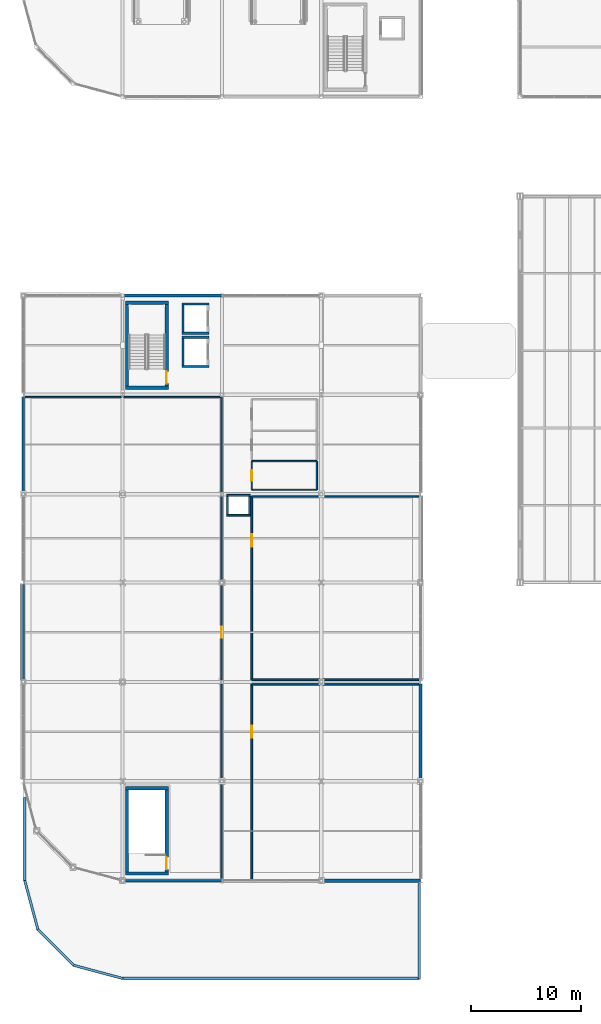
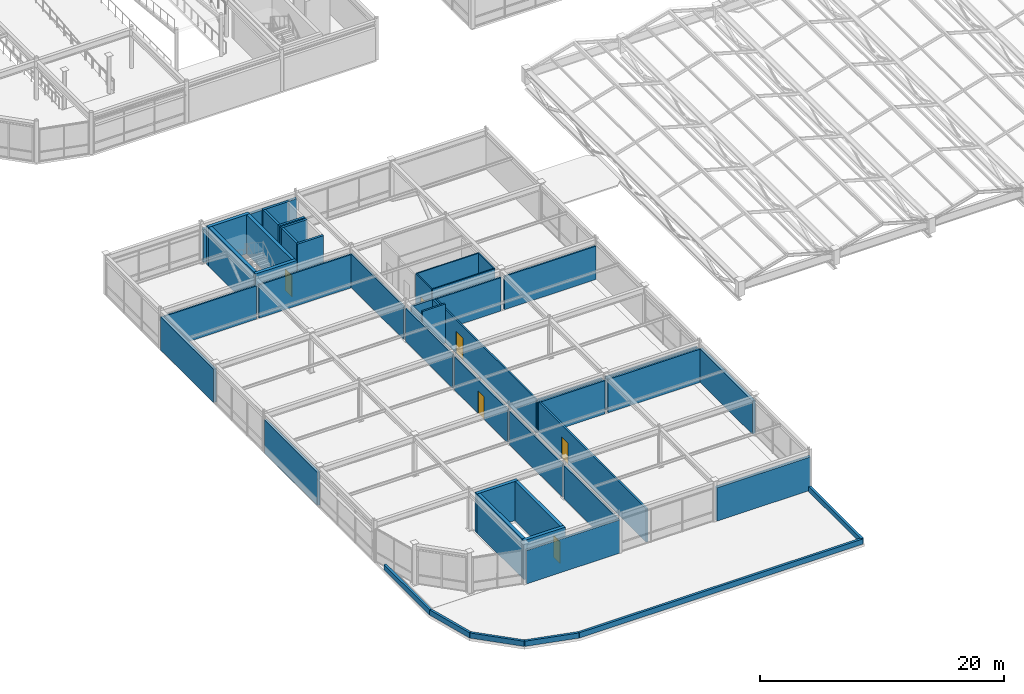
# One storey, part 77 of 108: 49 walls, 6 doors, 6 openings.
"""IFC4 building model written with IfcOpenShell, lengths in metres."""

from ifc_helpers import new_model, si_unit, direction, frame, frame_2d, origin, place, context, subcontext, project, spatial, rectangle, extrude, material, layer, layer_set, type_object, element, fill, save


model = new_model("IFC4")

# Units and contexts
model_context = context("Model", 3, precision=1e-05, world=origin(), true_north=direction((0.0, 1.0)))
body_context = subcontext(model_context, "Body", "Model", "MODEL_VIEW")
ifc_project = project(units=[si_unit("LENGTHUNIT", "METRE"), si_unit("AREAUNIT", "SQUARE_METRE"), si_unit("VOLUMEUNIT", "CUBIC_METRE"), si_unit("PLANEANGLEUNIT", "RADIAN"), si_unit("MASSUNIT", "GRAM", prefix="KILO")], contexts=[model_context])

# Site, building, storey
site_placement = place(None, origin())
site = spatial("IfcSite", under=ifc_project, at=site_placement, CompositionType="ELEMENT")
building_placement = place(site_placement, origin())
building = spatial("IfcBuilding", under=site, at=building_placement, Name="Suzunagisa Mobility Hub", CompositionType="ELEMENT")
storey_placement = place(building_placement, frame((0.0, 0.0, 9.300048828125)))
storey = spatial("IfcBuildingStorey", under=building, at=storey_placement, Name="L02", CompositionType="ELEMENT", Elevation=9.300048828125)

# Walls
ifc_material_1 = material(Name="Porcelain-Faced Insulated Concrete C30/37 Wall", Category="concrete")
ifc_layer_1 = layer(ifc_material_1, 0.260009765625)
ifc_layer_set_1 = layer_set([ifc_layer_1], Name="Porcelain-Faced Insulated Concrete C30/37 Wall")
wall_type_1 = type_object("IfcWallType", Name="Exterior Wall EW-03 260mm", PredefinedType="SOLIDWALL", material=ifc_layer_set_1)
wall_1_placement = place(storey_placement, frame((0.0, 52.830078125, 0.0), z_axis=(0.0, 0.0, 1.0), x_axis=(0.0, -1.0, 0.0)))
element("IfcWall", 1, at=wall_1_placement, inside=storey, type_object=wall_type_1, Name="L02 Exterior Facade Wall EW-54", PredefinedType="SOLIDWALL", context=body_context, shape_type="SweptSolid", body=[
    extrude(rectangle(XDim=8.68017578125, YDim=0.260009765625, at=frame_2d((4.340087890625, 0.0))), origin(), (0.0, 0.0, 1.0), 3.33203125),
])
ifc_material_2 = material(Name="Lightweight Insulated Autoclaved Concrete C30/37 Wall", Category="concrete")
ifc_layer_2 = layer(ifc_material_2, 0.239990234375)
ifc_layer_set_2 = layer_set([ifc_layer_2], Name="Lightweight Insulated Autoclaved Concrete C30/37 Wall")
wall_type_2 = type_object("IfcWallType", Name="Exterior Wall EW-04 240mm", PredefinedType="SOLIDWALL", material=ifc_layer_set_2)
wall_2_placement = place(storey_placement, frame((9.14990234375, 9.0, 0.0), z_axis=(0.0, 0.0, 1.0), x_axis=(1.0, 0.0, 0.0)))
element("IfcWall", 2, at=wall_2_placement, inside=storey, type_object=wall_type_2, Name="L02 Exterior Facade Wall EW-47", PredefinedType="SOLIDWALL", context=body_context, shape_type="SweptSolid", body=[
    extrude(rectangle(XDim=8.845703125, YDim=0.239990234375, at=frame_2d((4.4228515625, 0.0))), origin(), (0.0, 0.0, 1.0), 3.33203125),
])
wall_3_placement = place(storey_placement, frame((0.0, 35.830078125, 0.0), z_axis=(0.0, 0.0, 1.0), x_axis=(0.0, -1.0, 0.0)))
element("IfcWall", 3, at=wall_3_placement, inside=storey, type_object=wall_type_2, Name="L02 Exterior Facade Wall EW-55", PredefinedType="SOLIDWALL", context=body_context, shape_type="SweptSolid", body=[
    extrude(rectangle(XDim=8.68017578125, YDim=0.239990234375, at=frame_2d((4.340087890625, 0.0))), origin(), (0.0, 0.0, 1.0), 3.33203125),
])
ifc_material_3 = material(Name="Concrete C30/37", Category="concrete")
ifc_layer_3 = layer(ifc_material_3, 0.219970703125)
ifc_layer_set_3 = layer_set([ifc_layer_3], Name="Concrete C30/37")
wall_type_3 = type_object("IfcWallType", Name="Exterior Wall EW-05 220mm", PredefinedType="PARAPET", material=ifc_layer_set_3)
wall_4_placement = place(storey_placement, frame((0.139892578125, 9.018310546875, 0.0), z_axis=(0.0, 0.0, 1.0), x_axis=(0.0, 1.0, 0.0)))
element("IfcWall", 4, at=wall_4_placement, inside=storey, type_object=wall_type_3, Name="L02 Roof Setback Parapet PR-462", PredefinedType="PARAPET", context=body_context, shape_type="SweptSolid", body=[
    extrude(rectangle(XDim=7.493408203125, YDim=0.219970703125, at=frame_2d((3.74658203125, 0.0))), origin(), (0.0, 0.0, 1.0), 0.52001953125),
])
wall_5_placement = place(storey_placement, frame((35.860107421875, 8.75, 0.0), z_axis=(0.0, 0.0, 1.0), x_axis=(0.0, -1.0, 0.0)))
element("IfcWall", 5, at=wall_5_placement, inside=storey, type_object=wall_type_3, Name="L02 Roof Setback Parapet PR-463", PredefinedType="PARAPET", context=body_context, shape_type="SweptSolid", body=[
    extrude(rectangle(XDim=8.610107421875, YDim=0.219970703125, at=frame_2d((4.30517578125, 0.0))), origin(), (0.0, 0.0, 1.0), 0.52001953125),
])
wall_6_placement = place(storey_placement, frame((35.860107421875, 0.139892578125, 0.0), z_axis=(0.0, 0.0, 1.0), x_axis=(-1.0, 0.0, 0.0)))
element("IfcWall", 6, at=wall_6_placement, inside=storey, type_object=wall_type_3, Name="L02 Roof Setback Parapet PR-464", PredefinedType="PARAPET", context=body_context, shape_type="SweptSolid", body=[
    extrude(rectangle(XDim=26.841796875, YDim=0.219970703125, at=frame_2d((13.4208984375, 0.0))), origin(), (0.0, 0.0, 1.0), 0.52001953125),
])
wall_7_placement = place(storey_placement, frame((9.018310546875, 0.139892578125, 0.0), z_axis=(0.0, 0.0, 1.0), x_axis=(-0.965917269811, 0.258850976204, 0.0)))
element("IfcWall", 7, at=wall_7_placement, inside=storey, type_object=wall_type_3, Name="L02 Roof Setback Parapet PR-465", PredefinedType="PARAPET", context=body_context, shape_type="SweptSolid", body=[
    extrude(rectangle(XDim=4.602783203125, YDim=0.219970703125, at=frame_2d((2.30126953125, 0.0))), origin(), (0.0, 0.0, 1.0), 0.52001953125),
])
wall_8_placement = place(storey_placement, frame((4.572509765625, 1.331298828125, 0.0), z_axis=(0.0, 0.0, 1.0), x_axis=(-0.707106781187, 0.707106781187, 0.0)))
element("IfcWall", 8, at=wall_8_placement, inside=storey, type_object=wall_type_3, Name="L02 Roof Setback Parapet PR-466", PredefinedType="PARAPET", context=body_context, shape_type="SweptSolid", body=[
    extrude(rectangle(XDim=4.583740234375, YDim=0.219970703125, at=frame_2d((2.2919921875, 0.0))), origin(), (0.0, 0.0, 1.0), 0.52001953125),
])
wall_9_placement = place(storey_placement, frame((1.331298828125, 4.572509765625, 0.0), z_axis=(0.0, 0.0, 1.0), x_axis=(-0.258850976204, 0.965917269811, 0.0)))
element("IfcWall", 9, at=wall_9_placement, inside=storey, type_object=wall_type_3, Name="L02 Roof Setback Parapet PR-467", PredefinedType="PARAPET", context=body_context, shape_type="SweptSolid", body=[
    extrude(rectangle(XDim=4.602783203125, YDim=0.219970703125, at=frame_2d((2.30126953125, 0.0))), origin(), (0.0, 0.0, 1.0), 0.52001953125),
])
ifc_layer_4 = layer(ifc_material_1, 0.280029296875)
ifc_layer_set_4 = layer_set([ifc_layer_4], Name="Porcelain-Faced Insulated Concrete C30/37 Wall")
wall_type_4 = type_object("IfcWallType", Name="Exterior Wall EW-08 280mm", PredefinedType="SOLIDWALL", material=ifc_layer_set_4)
wall_10_placement = place(storey_placement, frame((36.0, 18.14990234375, 0.0), z_axis=(0.0, 0.0, 1.0), x_axis=(0.0, 1.0, 0.0)))
element("IfcWall", 10, at=wall_10_placement, inside=storey, type_object=wall_type_4, Name="L02 Exterior Facade Wall EW-49", PredefinedType="SOLIDWALL", context=body_context, shape_type="SweptSolid", body=[
    extrude(rectangle(XDim=8.68017578125, YDim=0.280029296875, at=frame_2d((4.340087890625, 0.0))), origin(), (0.0, 0.0, 1.0), 3.33203125),
])
wall_11_placement = place(storey_placement, frame((17.99560546875, 62.0, 0.0), z_axis=(0.0, 0.0, 1.0), x_axis=(-1.0, 0.0, 0.0)))
element("IfcWall", 11, at=wall_11_placement, inside=storey, type_object=wall_type_4, Name="L02 Exterior Facade Wall EW-53", PredefinedType="SOLIDWALL", context=body_context, shape_type="SweptSolid", body=[
    extrude(rectangle(XDim=8.845703125, YDim=0.280029296875, at=frame_2d((4.4228515625, 0.0))), origin(), (0.0, 0.0, 1.0), 3.33203125),
])
ifc_material_4 = material(Name="Insulated Precast Concrete C35/45 Panel", Category="concrete")
ifc_layer_5 = layer(ifc_material_4, 0.300048828125)
ifc_layer_set_5 = layer_set([ifc_layer_5], Name="Insulated Precast Concrete C35/45 Panel")
wall_type_5 = type_object("IfcWallType", Name="Exterior Wall EW-09 300mm", PredefinedType="SOLIDWALL", material=ifc_layer_set_5)
wall_12_placement = place(storey_placement, frame((27.14990234375, 9.0, 0.0), z_axis=(0.0, 0.0, 1.0), x_axis=(1.0, 0.0, 0.0)))
element("IfcWall", 12, at=wall_12_placement, inside=storey, type_object=wall_type_5, Name="L02 Exterior Facade Wall EW-48", PredefinedType="SOLIDWALL", context=body_context, shape_type="SweptSolid", body=[
    extrude(rectangle(XDim=8.845703125, YDim=0.300048828125, at=frame_2d((4.4228515625, 0.0))), origin(), (0.0, 0.0, 1.0), 3.33203125),
])
ifc_material_5 = material(Name="Concrete C35/45", Category="concrete")
ifc_layer_6 = layer(ifc_material_5, 0.31005859375)
ifc_layer_set_6 = layer_set([ifc_layer_6], Name="Concrete C35/45")
wall_type_6 = type_object("IfcWallType", Name="Interior Wall IW-01 310mm", PredefinedType="SHEAR", material=ifc_layer_set_6)
for number, where, z_axis, x_axis, name in (
    (13, (9.25, 53.64501953125, 0.0), (0.0, 0.0, 1.0), (1.0, 0.0, 0.0), "L02 Core C1 Shear Wall SW-37"),
    (14, (9.25, 61.35498046875, 0.0), (0.0, 0.0, 1.0), (1.0, 0.0, 0.0), "L02 Core C1 Shear Wall SW-38"),
):
    element("IfcWall", number, at=place(storey_placement, frame(where, z_axis=z_axis, x_axis=x_axis)), inside=storey, type_object=wall_type_6, Name=name, PredefinedType="SHEAR", context=body_context, shape_type="SweptSolid", body=[
        extrude(rectangle(XDim=3.89990234375, YDim=0.31005859375, at=frame_2d((1.949951171875, 0.0))), origin(), (0.0, 0.0, 1.0), 3.919921875),
    ])
wall_13_placement = place(storey_placement, frame((9.405029296875, 53.800048828125, 0.0), z_axis=(0.0, 0.0, 1.0), x_axis=(0.0, 1.0, 0.0)))
element("IfcWall", 15, at=wall_13_placement, inside=storey, type_object=wall_type_6, Name="L02 Core C1 Shear Wall SW-39", PredefinedType="SHEAR", context=body_context, shape_type="SweptSolid", body=[
    extrude(rectangle(XDim=7.39990234375, YDim=0.31005859375, at=frame_2d((3.699951171875, 0.0))), origin(), (0.0, 0.0, 1.0), 3.919921875),
])

# Wall, opening, door
wall_14_placement = place(storey_placement, frame((12.9951171875, 53.800048828125, 0.0), z_axis=(0.0, 0.0, 1.0), x_axis=(0.0, 1.0, 0.0)))
wall_14 = element("IfcWall", 16, at=wall_14_placement, inside=storey, type_object=wall_type_6, Name="L02 Core C1 Shear Wall SW-40", PredefinedType="SHEAR", context=body_context, shape_type="SweptSolid", body=[
    extrude(rectangle(XDim=7.39990234375, YDim=0.31005859375, at=frame_2d((3.699951171875, 0.0))), origin(), (0.0, 0.0, 1.0), 3.919921875),
])
opening_1_placement = place(wall_14_placement, frame((0.219970703125, 0.0, 0.0)))
opening_1 = element("IfcOpeningElement", 17, at=opening_1_placement, cuts=wall_14, Name="Opening DR-05", PredefinedType="OPENING", context=body_context, shape_type="SweptSolid", body=[
    extrude(rectangle(XDim=1.10009765625, YDim=2.14990234375, at=frame_2d((0.550048828125, 1.074951171875))), frame((0.0, 0.166015625, 0.0), z_axis=(0.0, -1.0, 0.0), x_axis=(1.0, 0.0, 0.0)), (0.0, 0.0, 1.0), 0.33203125),
])
ifc_material_6 = material(Name="Fire-Rated Hollow Steel Stair Door", Category="steel")
door_type_1 = type_object("IfcDoorType", Name="Interior Door DR-05 1100x2150", OperationType="SINGLE_SWING_LEFT", PredefinedType="DOOR", material=ifc_material_6)
door_1_placement = place(opening_1_placement, origin())
door_1 = element("IfcDoor", 18, at=door_1_placement, inside=storey, type_object=door_type_1, Name="L02 Core C1 Escape Stair Fire Door SD-10", OperationType="SINGLE_SWING_LEFT", OverallHeight=2.14990234375, OverallWidth=1.10009765625, PredefinedType="DOOR", context=body_context, shape_type="SweptSolid", body=[
    extrude(rectangle(XDim=1.10009765625, YDim=2.14990234375, at=frame_2d((0.550048828125, 1.074951171875))), frame((0.0, 0.02490234375, 0.0), z_axis=(0.0, -1.0, 0.0), x_axis=(1.0, 0.0, 0.0)), (0.0, 0.0, 1.0), 0.050048828125),
])
fill(opening_1, door_1)

# Walls
for number, where, z_axis, x_axis, name in (
    (19, (9.25, 9.64501953125, 0.0), (0.0, 0.0, 1.0), (1.0, 0.0, 0.0), "L02 Core C1B Shear Wall SW-73"),
    (20, (9.25, 17.35498046875, 0.0), (0.0, 0.0, 1.0), (1.0, 0.0, 0.0), "L02 Core C1B Shear Wall SW-74"),
):
    element("IfcWall", number, at=place(storey_placement, frame(where, z_axis=z_axis, x_axis=x_axis)), inside=storey, type_object=wall_type_6, Name=name, PredefinedType="SHEAR", context=body_context, shape_type="SweptSolid", body=[
        extrude(rectangle(XDim=3.89990234375, YDim=0.31005859375, at=frame_2d((1.949951171875, 0.0))), origin(), (0.0, 0.0, 1.0), 3.919921875),
    ])
wall_15_placement = place(storey_placement, frame((9.405029296875, 9.800048828125, 0.0), z_axis=(0.0, 0.0, 1.0), x_axis=(0.0, 1.0, 0.0)))
element("IfcWall", 21, at=wall_15_placement, inside=storey, type_object=wall_type_6, Name="L02 Core C1B Shear Wall SW-75", PredefinedType="SHEAR", context=body_context, shape_type="SweptSolid", body=[
    extrude(rectangle(XDim=7.39990234375, YDim=0.31005859375, at=frame_2d((3.699951171875, 0.0))), origin(), (0.0, 0.0, 1.0), 3.919921875),
])

# Wall, opening, door
wall_16_placement = place(storey_placement, frame((12.9951171875, 9.800048828125, 0.0), z_axis=(0.0, 0.0, 1.0), x_axis=(0.0, 1.0, 0.0)))
wall_16 = element("IfcWall", 22, at=wall_16_placement, inside=storey, type_object=wall_type_6, Name="L02 Core C1B Shear Wall SW-76", PredefinedType="SHEAR", context=body_context, shape_type="SweptSolid", body=[
    extrude(rectangle(XDim=7.39990234375, YDim=0.31005859375, at=frame_2d((3.699951171875, 0.0))), origin(), (0.0, 0.0, 1.0), 3.919921875),
])
opening_2_placement = place(wall_16_placement, frame((0.219970703125, 0.0, 0.0)))
opening_2 = element("IfcOpeningElement", 23, at=opening_2_placement, cuts=wall_16, Name="Opening DR-05", PredefinedType="OPENING", context=body_context, shape_type="SweptSolid", body=[
    extrude(rectangle(XDim=1.10009765625, YDim=2.14990234375, at=frame_2d((0.550048828125, 1.074951171875))), frame((0.0, 0.166015625, 0.0), z_axis=(0.0, -1.0, 0.0), x_axis=(1.0, 0.0, 0.0)), (0.0, 0.0, 1.0), 0.33203125),
])
door_2_placement = place(opening_2_placement, origin())
door_2 = element("IfcDoor", 24, at=door_2_placement, inside=storey, type_object=door_type_1, Name="L02 Core C1B Escape Stair Fire Door SD-19", OperationType="SINGLE_SWING_RIGHT", OverallHeight=2.14990234375, OverallWidth=1.10009765625, PredefinedType="DOOR", context=body_context, shape_type="SweptSolid", body=[
    extrude(rectangle(XDim=1.10009765625, YDim=2.14990234375, at=frame_2d((0.550048828125, 1.074951171875))), frame((0.0, 0.02490234375, 0.0), z_axis=(0.0, -1.0, 0.0), x_axis=(1.0, 0.0, 0.0)), (0.0, 0.0, 1.0), 0.050048828125),
])
fill(opening_2, door_2)

# Walls
ifc_material_7 = material(Name="Moisture-Resistant Gypsum Partition", Category="gypsum")
ifc_layer_7 = layer(ifc_material_7, 0.1201171875)
ifc_layer_set_7 = layer_set([ifc_layer_7], Name="Moisture-Resistant Gypsum Partition")
wall_type_7 = type_object("IfcWallType", Name="Interior Wall IW-02 120mm", PredefinedType="PARTITIONING", material=ifc_layer_set_7)
for number, where, z_axis, x_axis, name in (
    (25, (20.699951171875, 44.39990234375, 0.0), (0.0, 0.0, 1.0), (1.0, 0.0, 0.0), "L02 West Concourse Male WC L02 Partition PW-665"),
    (26, (20.699951171875, 47.0, 0.0), (0.0, 0.0, 1.0), (1.0, 0.0, 0.0), "L02 West Concourse Male WC L02 Partition PW-666"),
):
    element("IfcWall", number, at=place(storey_placement, frame(where, z_axis=z_axis, x_axis=x_axis)), inside=storey, type_object=wall_type_7, Name=name, PredefinedType="PARTITIONING", context=body_context, shape_type="SweptSolid", body=[
        extrude(rectangle(XDim=5.900146484375, YDim=0.1201171875, at=frame_2d((2.9501953125, 0.0))), origin(), (0.0, 0.0, 1.0), 3.919921875),
    ])

# Wall, opening, door
wall_17_placement = place(storey_placement, frame((20.699951171875, 44.39990234375, 0.0), z_axis=(0.0, 0.0, 1.0), x_axis=(0.0, 1.0, 0.0)))
wall_17 = element("IfcWall", 27, at=wall_17_placement, inside=storey, type_object=wall_type_7, Name="L02 West Concourse Male WC L02 Partition PW-667", PredefinedType="PARTITIONING", context=body_context, shape_type="SweptSolid", body=[
    extrude(rectangle(XDim=2.60009765625, YDim=0.1201171875, at=frame_2d((1.300048828125, 0.0))), origin(), (0.0, 0.0, 1.0), 3.919921875),
])
opening_3_placement = place(wall_17_placement, frame((0.840087890625, 0.0, 0.0)))
opening_3 = element("IfcOpeningElement", 28, at=opening_3_placement, cuts=wall_17, Name="Opening DR-02", PredefinedType="OPENING", context=body_context, shape_type="SweptSolid", body=[
    extrude(rectangle(XDim=0.919921875, YDim=2.10009765625, at=frame_2d((0.4599609375, 1.050048828125))), frame((0.0, 0.071044921875, 0.0), z_axis=(0.0, -1.0, 0.0), x_axis=(1.0, 0.0, 0.0)), (0.0, 0.0, 1.0), 0.14208984375),
])
ifc_material_8 = material(Name="Sanitary Restroom Laminate Door")
door_type_2 = type_object("IfcDoorType", Name="Interior Door DR-02 920x2100", OperationType="SINGLE_SWING_LEFT", PredefinedType="DOOR", material=ifc_material_8)
door_3_placement = place(opening_3_placement, origin())
door_3 = element("IfcDoor", 29, at=door_3_placement, inside=storey, type_object=door_type_2, Name="L02 West Concourse Male WC L02 Door DR-167", OperationType="SINGLE_SWING_RIGHT", OverallHeight=2.10009765625, OverallWidth=0.919921875, PredefinedType="DOOR", context=body_context, shape_type="SweptSolid", body=[
    extrude(rectangle(XDim=0.919921875, YDim=2.10009765625, at=frame_2d((0.4599609375, 1.050048828125))), frame((0.0, 0.02490234375, 0.0), z_axis=(0.0, -1.0, 0.0), x_axis=(1.0, 0.0, 0.0)), (0.0, 0.0, 1.0), 0.050048828125),
])
fill(opening_3, door_3)

# Walls
wall_18_placement = place(storey_placement, frame((26.60009765625, 44.39990234375, 0.0), z_axis=(0.0, 0.0, 1.0), x_axis=(0.0, 1.0, 0.0)))
element("IfcWall", 30, at=wall_18_placement, inside=storey, type_object=wall_type_7, Name="L02 West Concourse Male WC L02 Partition PW-668", PredefinedType="PARTITIONING", context=body_context, shape_type="SweptSolid", body=[
    extrude(rectangle(XDim=2.60009765625, YDim=0.1201171875, at=frame_2d((1.300048828125, 0.0))), origin(), (0.0, 0.0, 1.0), 3.919921875),
])
ifc_material_9 = material(Name="Fire-Rated Gypsum Stud Partition", Category="gypsum")
ifc_layer_8 = layer(ifc_material_9, 0.2099609375)
ifc_layer_set_8 = layer_set([ifc_layer_8], Name="Fire-Rated Gypsum Stud Partition")
wall_type_8 = type_object("IfcWallType", Name="Interior Wall IW-03 210mm", PredefinedType="PARTITIONING", material=ifc_layer_set_8)
wall_19_placement = place(storey_placement, frame((14.47509765625, 55.679931640625, 0.0), z_axis=(0.0, 0.0, 1.0), x_axis=(0.0, 1.0, 0.0)))
element("IfcWall", 31, at=wall_19_placement, inside=storey, type_object=wall_type_8, Name="L02 Lift LF-01 Shaft Back Wall", PredefinedType="PARTITIONING", context=body_context, shape_type="SweptSolid", body=[
    extrude(rectangle(XDim=2.440185546875, YDim=0.2099609375, at=frame_2d((1.22021484375, 0.0))), origin(), (0.0, 0.0, 1.0), 3.919921875),
])
for number, where, z_axis, x_axis, name in (
    (32, (14.3701171875, 55.574951171875, 0.0), (0.0, 0.0, 1.0), (1.0, 0.0, 0.0), "L02 Lift LF-01 Shaft South Wall"),
    (33, (14.3701171875, 58.22509765625, 0.0), (0.0, 0.0, 1.0), (1.0, 0.0, 0.0), "L02 Lift LF-01 Shaft North Wall"),
):
    element("IfcWall", number, at=place(storey_placement, frame(where, z_axis=z_axis, x_axis=x_axis)), inside=storey, type_object=wall_type_8, Name=name, PredefinedType="PARTITIONING", context=body_context, shape_type="SweptSolid", body=[
        extrude(rectangle(XDim=2.4599609375, YDim=0.2099609375, at=frame_2d((1.22998046875, 0.0))), origin(), (0.0, 0.0, 1.0), 3.919921875),
    ])
wall_20_placement = place(storey_placement, frame((14.47509765625, 58.679931640625, 0.0), z_axis=(0.0, 0.0, 1.0), x_axis=(0.0, 1.0, 0.0)))
element("IfcWall", 34, at=wall_20_placement, inside=storey, type_object=wall_type_8, Name="L02 Lift LF-02 Shaft Back Wall", PredefinedType="PARTITIONING", context=body_context, shape_type="SweptSolid", body=[
    extrude(rectangle(XDim=2.440185546875, YDim=0.2099609375, at=frame_2d((1.22021484375, 0.0))), origin(), (0.0, 0.0, 1.0), 3.919921875),
])
for number, where, z_axis, x_axis, name in (
    (35, (14.3701171875, 58.574951171875, 0.0), (0.0, 0.0, 1.0), (1.0, 0.0, 0.0), "L02 Lift LF-02 Shaft South Wall"),
    (36, (14.3701171875, 61.22509765625, 0.0), (0.0, 0.0, 1.0), (1.0, 0.0, 0.0), "L02 Lift LF-02 Shaft North Wall"),
):
    element("IfcWall", number, at=place(storey_placement, frame(where, z_axis=z_axis, x_axis=x_axis)), inside=storey, type_object=wall_type_8, Name=name, PredefinedType="PARTITIONING", context=body_context, shape_type="SweptSolid", body=[
        extrude(rectangle(XDim=2.4599609375, YDim=0.2099609375, at=frame_2d((1.22998046875, 0.0))), origin(), (0.0, 0.0, 1.0), 3.919921875),
    ])
ifc_layer_9 = layer(ifc_material_9, 0.169921875)
ifc_layer_set_9 = layer_set([ifc_layer_9], Name="Fire-Rated Gypsum Stud Partition")
wall_type_9 = type_object("IfcWallType", Name="Interior Wall IW-05 170mm", PredefinedType="PARTITIONING", material=ifc_layer_set_9)
wall_21_placement = place(storey_placement, frame((18.4150390625, 42.10009765625, 0.0), z_axis=(0.0, 0.0, 1.0), x_axis=(1.0, 0.0, 0.0)))
element("IfcWall", 37, at=wall_21_placement, inside=storey, type_object=wall_type_9, Name="L02 MEP Service Riser Wall RW-501", PredefinedType="PARTITIONING", context=body_context, shape_type="SweptSolid", body=[
    extrude(rectangle(XDim=2.169921875, YDim=0.169921875, at=frame_2d((1.0849609375, 0.0))), origin(), (0.0, 0.0, 1.0), 3.919921875),
])
wall_22_placement = place(storey_placement, frame((18.4150390625, 43.89990234375, 0.0), z_axis=(0.0, 0.0, 1.0), x_axis=(1.0, 0.0, 0.0)))
element("IfcWall", 38, at=wall_22_placement, inside=storey, type_object=wall_type_9, Name="L02 MEP Service Riser Wall RW-502", PredefinedType="PARTITIONING", context=body_context, shape_type="SweptSolid", body=[
    extrude(rectangle(XDim=2.169921875, YDim=0.169921875, at=frame_2d((1.0849609375, 0.0))), origin(), (0.0, 0.0, 1.0), 3.33203125),
])
for number, where, z_axis, x_axis, name in (
    (39, (18.5, 42.18505859375, 0.0), (0.0, 0.0, 1.0), (0.0, 1.0, 0.0), "L02 MEP Service Riser Wall RW-503"),
    (40, (20.5, 42.18505859375, 0.0), (0.0, 0.0, 1.0), (0.0, 1.0, 0.0), "L02 MEP Service Riser Wall RW-504"),
):
    element("IfcWall", number, at=place(storey_placement, frame(where, z_axis=z_axis, x_axis=x_axis)), inside=storey, type_object=wall_type_9, Name=name, PredefinedType="PARTITIONING", context=body_context, shape_type="SweptSolid", body=[
        extrude(rectangle(XDim=1.6298828125, YDim=0.169921875, at=frame_2d((0.81494140625, 0.0))), origin(), (0.0, 0.0, 1.0), 3.33203125),
    ])
wall_23_placement = place(storey_placement, frame((20.699951171875, 26.800048828125, 0.0), z_axis=(0.0, 0.0, 1.0), x_axis=(1.0, 0.0, 0.0)))
element("IfcWall", 41, at=wall_23_placement, inside=storey, type_object=wall_type_9, Name="L02 Cyclist Co-Working and Refreshment Lounge L02 Partition PW-807", PredefinedType="PARTITIONING", context=body_context, shape_type="SweptSolid", body=[
    extrude(rectangle(XDim=6.150146484375, YDim=0.169921875, at=frame_2d((3.0751953125, 0.0))), origin(), (0.0, 0.0, 1.0), 3.33203125),
])
wall_24_placement = place(storey_placement, frame((27.14990234375, 26.800048828125, 0.0), z_axis=(0.0, 0.0, 1.0), x_axis=(1.0, 0.0, 0.0)))
element("IfcWall", 42, at=wall_24_placement, inside=storey, type_object=wall_type_9, Name="L02 Cyclist Co-Working and Refreshment Lounge L02 Partition PW-808", PredefinedType="PARTITIONING", context=body_context, shape_type="SweptSolid", body=[
    extrude(rectangle(XDim=8.68505859375, YDim=0.169921875, at=frame_2d((4.342529296875, 0.0))), origin(), (0.0, 0.0, 1.0), 3.33203125),
])

# Wall, opening, door
wall_25_placement = place(storey_placement, frame((20.699951171875, 9.1650390625, 0.0), z_axis=(0.0, 0.0, 1.0), x_axis=(0.0, 1.0, 0.0)))
wall_25 = element("IfcWall", 43, at=wall_25_placement, inside=storey, type_object=wall_type_9, Name="L02 Cyclist Co-Working and Refreshment Lounge L02 Partition PW-809", PredefinedType="PARTITIONING", context=body_context, shape_type="SweptSolid", body=[
    extrude(rectangle(XDim=17.635009765625, YDim=0.169921875, at=frame_2d((8.8173828125, 0.0))), origin(), (0.0, 0.0, 1.0), 3.33203125),
])
opening_4_placement = place(wall_25_placement, frame((12.794921875, 0.0, 0.0)))
opening_4 = element("IfcOpeningElement", 44, at=opening_4_placement, cuts=wall_25, Name="Opening DR-25", PredefinedType="OPENING", context=body_context, shape_type="SweptSolid", body=[
    extrude(rectangle(XDim=1.080078125, YDim=2.14990234375, at=frame_2d((0.5400390625, 1.074951171875))), frame((0.0, 0.095947265625, 0.0), z_axis=(0.0, -1.0, 0.0), x_axis=(1.0, 0.0, 0.0)), (0.0, 0.0, 1.0), 0.19189453125),
])
ifc_material_10 = material(Name="Anodized Aluminum Framed Acoustic Door", Category="aluminium")
door_type_3 = type_object("IfcDoorType", Name="Interior Door DR-25 1080x2150", OperationType="SINGLE_SWING_LEFT", PredefinedType="DOOR", material=ifc_material_10)
door_4_placement = place(opening_4_placement, origin())
door_4 = element("IfcDoor", 45, at=door_4_placement, inside=storey, type_object=door_type_3, Name="L02 Cyclist Co-Working and Refreshment Lounge L02 Door DR-202", OperationType="SINGLE_SWING_LEFT", OverallHeight=2.14990234375, OverallWidth=1.080078125, PredefinedType="DOOR", context=body_context, shape_type="SweptSolid", body=[
    extrude(rectangle(XDim=1.080078125, YDim=2.14990234375, at=frame_2d((0.5400390625, 1.074951171875))), frame((0.0, 0.02490234375, 0.0), z_axis=(0.0, -1.0, 0.0), x_axis=(1.0, 0.0, 0.0)), (0.0, 0.0, 1.0), 0.050048828125),
])
fill(opening_4, door_4)

# Walls
ifc_material_11 = material(Name="Acoustic Steel-Stud Gypsum Partition", Category="steel")
ifc_layer_10 = layer(ifc_material_11, 0.14501953125)
ifc_layer_set_10 = layer_set([ifc_layer_10], Name="Acoustic Steel-Stud Gypsum Partition")
wall_type_10 = type_object("IfcWallType", Name="Interior Wall IW-06 145mm", PredefinedType="PARTITIONING", material=ifc_layer_set_10)
wall_26_placement = place(storey_placement, frame((0.1650390625, 52.800048828125, 0.0), z_axis=(0.0, 0.0, 1.0), x_axis=(1.0, 0.0, 0.0)))
element("IfcWall", 46, at=wall_26_placement, inside=storey, type_object=wall_type_10, Name="L02 Long-Stay Commuter Bicycle Storage Gallery L02 Partition PW-800", PredefinedType="PARTITIONING", context=body_context, shape_type="SweptSolid", body=[
    extrude(rectangle(XDim=8.7099609375, YDim=0.14501953125, at=frame_2d((4.35498046875, 0.0))), origin(), (0.0, 0.0, 1.0), 3.33203125),
])
wall_27_placement = place(storey_placement, frame((9.125, 52.800048828125, 0.0), z_axis=(0.0, 0.0, 1.0), x_axis=(1.0, 0.0, 0.0)))
element("IfcWall", 47, at=wall_27_placement, inside=storey, type_object=wall_type_10, Name="L02 Long-Stay Commuter Bicycle Storage Gallery L02 Partition PW-801", PredefinedType="PARTITIONING", context=body_context, shape_type="SweptSolid", body=[
    extrude(rectangle(XDim=8.72509765625, YDim=0.14501953125, at=frame_2d((4.362548828125, 0.0))), origin(), (0.0, 0.0, 1.0), 3.33203125),
])
for number, where, z_axis, x_axis, name in (
    (48, (17.949951171875, 9.169921875, 0.0), (0.0, 0.0, 1.0), (0.0, 1.0, 0.0), "L02 Long-Stay Commuter Bicycle Storage Gallery L02 Partition PW-802"),
    (49, (17.949951171875, 18.14990234375, 0.0), (0.0, 0.0, 1.0), (0.0, 1.0, 0.0), "L02 Long-Stay Commuter Bicycle Storage Gallery L02 Partition PW-803"),
):
    element("IfcWall", number, at=place(storey_placement, frame(where, z_axis=z_axis, x_axis=x_axis)), inside=storey, type_object=wall_type_10, Name=name, PredefinedType="PARTITIONING", context=body_context, shape_type="SweptSolid", body=[
        extrude(rectangle(XDim=8.68017578125, YDim=0.14501953125, at=frame_2d((4.340087890625, 0.0))), origin(), (0.0, 0.0, 1.0), 3.33203125),
    ])

# Wall, opening, door
wall_28_placement = place(storey_placement, frame((17.949951171875, 27.169921875, 0.0), z_axis=(0.0, 0.0, 1.0), x_axis=(0.0, 1.0, 0.0)))
wall_28 = element("IfcWall", 50, at=wall_28_placement, inside=storey, type_object=wall_type_10, Name="L02 Long-Stay Commuter Bicycle Storage Gallery L02 Partition PW-804", PredefinedType="PARTITIONING", context=body_context, shape_type="SweptSolid", body=[
    extrude(rectangle(XDim=8.68017578125, YDim=0.14501953125, at=frame_2d((4.340087890625, 0.0))), origin(), (0.0, 0.0, 1.0), 3.33203125),
])
opening_5_placement = place(wall_28_placement, frame((3.820068359375, 0.0, 0.0)))
opening_5 = element("IfcOpeningElement", 51, at=opening_5_placement, cuts=wall_28, Name="Opening DR-33", PredefinedType="OPENING", context=body_context, shape_type="SweptSolid", body=[
    extrude(rectangle(XDim=1.02001953125, YDim=2.25, at=frame_2d((0.510009765625, 1.125))), frame((0.0, 0.08349609375, 0.0), z_axis=(0.0, -1.0, 0.0), x_axis=(1.0, 0.0, 0.0)), (0.0, 0.0, 1.0), 0.1669921875),
])
door_type_4 = type_object("IfcDoorType", Name="Interior Door DR-33 1020x2250", OperationType="SINGLE_SWING_LEFT", PredefinedType="DOOR", material=ifc_material_10)
door_5_placement = place(opening_5_placement, origin())
door_5 = element("IfcDoor", 52, at=door_5_placement, inside=storey, type_object=door_type_4, Name="L02 Long-Stay Commuter Bicycle Storage Gallery L02 Door DR-201", OperationType="SINGLE_SWING_RIGHT", OverallHeight=2.25, OverallWidth=1.02001953125, PredefinedType="DOOR", context=body_context, shape_type="SweptSolid", body=[
    extrude(rectangle(XDim=1.02001953125, YDim=2.25, at=frame_2d((0.510009765625, 1.125))), frame((0.0, 0.02490234375, 0.0), z_axis=(0.0, -1.0, 0.0), x_axis=(1.0, 0.0, 0.0)), (0.0, 0.0, 1.0), 0.050048828125),
])
fill(opening_5, door_5)

# Walls
wall_29_placement = place(storey_placement, frame((17.949951171875, 36.14990234375, 0.0), z_axis=(0.0, 0.0, 1.0), x_axis=(0.0, 1.0, 0.0)))
element("IfcWall", 53, at=wall_29_placement, inside=storey, type_object=wall_type_10, Name="L02 Long-Stay Commuter Bicycle Storage Gallery L02 Partition PW-805", PredefinedType="PARTITIONING", context=body_context, shape_type="SweptSolid", body=[
    extrude(rectangle(XDim=7.68017578125, YDim=0.14501953125, at=frame_2d((3.840087890625, 0.0))), origin(), (0.0, 0.0, 1.0), 3.33203125),
])
wall_30_placement = place(storey_placement, frame((17.949951171875, 44.169921875, 0.0), z_axis=(0.0, 0.0, 1.0), x_axis=(0.0, 1.0, 0.0)))
element("IfcWall", 54, at=wall_30_placement, inside=storey, type_object=wall_type_10, Name="L02 Long-Stay Commuter Bicycle Storage Gallery L02 Partition PW-806", PredefinedType="PARTITIONING", context=body_context, shape_type="SweptSolid", body=[
    extrude(rectangle(XDim=8.68017578125, YDim=0.14501953125, at=frame_2d((4.340087890625, 0.0))), origin(), (0.0, 0.0, 1.0), 3.33203125),
])
wall_31_placement = place(storey_placement, frame((20.699951171875, 27.199951171875, 0.0), z_axis=(0.0, 0.0, 1.0), x_axis=(1.0, 0.0, 0.0)))
element("IfcWall", 55, at=wall_31_placement, inside=storey, type_object=wall_type_10, Name="L02 Micro-Mobility Battery Swap and Leasing Studio Partition PW-810", PredefinedType="PARTITIONING", context=body_context, shape_type="SweptSolid", body=[
    extrude(rectangle(XDim=6.150146484375, YDim=0.14501953125, at=frame_2d((3.0751953125, 0.0))), origin(), (0.0, 0.0, 1.0), 3.33203125),
])
wall_32_placement = place(storey_placement, frame((27.14990234375, 27.199951171875, 0.0), z_axis=(0.0, 0.0, 1.0), x_axis=(1.0, 0.0, 0.0)))
element("IfcWall", 56, at=wall_32_placement, inside=storey, type_object=wall_type_10, Name="L02 Micro-Mobility Battery Swap and Leasing Studio Partition PW-811", PredefinedType="PARTITIONING", context=body_context, shape_type="SweptSolid", body=[
    extrude(rectangle(XDim=8.68505859375, YDim=0.14501953125, at=frame_2d((4.342529296875, 0.0))), origin(), (0.0, 0.0, 1.0), 3.33203125),
])
wall_33_placement = place(storey_placement, frame((20.699951171875, 43.800048828125, 0.0), z_axis=(0.0, 0.0, 1.0), x_axis=(1.0, 0.0, 0.0)))
element("IfcWall", 57, at=wall_33_placement, inside=storey, type_object=wall_type_10, Name="L02 Micro-Mobility Battery Swap and Leasing Studio Partition PW-812", PredefinedType="PARTITIONING", context=body_context, shape_type="SweptSolid", body=[
    extrude(rectangle(XDim=6.150146484375, YDim=0.14501953125, at=frame_2d((3.0751953125, 0.0))), origin(), (0.0, 0.0, 1.0), 3.33203125),
])
wall_34_placement = place(storey_placement, frame((27.14990234375, 43.800048828125, 0.0), z_axis=(0.0, 0.0, 1.0), x_axis=(1.0, 0.0, 0.0)))
element("IfcWall", 58, at=wall_34_placement, inside=storey, type_object=wall_type_10, Name="L02 Micro-Mobility Battery Swap and Leasing Studio Partition PW-813", PredefinedType="PARTITIONING", context=body_context, shape_type="SweptSolid", body=[
    extrude(rectangle(XDim=8.68505859375, YDim=0.14501953125, at=frame_2d((4.342529296875, 0.0))), origin(), (0.0, 0.0, 1.0), 3.33203125),
])

# Wall, opening, door
wall_35_placement = place(storey_placement, frame((20.699951171875, 27.199951171875, 0.0), z_axis=(0.0, 0.0, 1.0), x_axis=(0.0, 1.0, 0.0)))
wall_35 = element("IfcWall", 59, at=wall_35_placement, inside=storey, type_object=wall_type_10, Name="L02 Micro-Mobility Battery Swap and Leasing Studio Partition PW-814", PredefinedType="PARTITIONING", context=body_context, shape_type="SweptSolid", body=[
    extrude(rectangle(XDim=16.60009765625, YDim=0.14501953125, at=frame_2d((8.300048828125, 0.0))), origin(), (0.0, 0.0, 1.0), 3.33203125),
])
opening_6_placement = place(wall_35_placement, frame((12.030029296875, 0.0, 0.0)))
opening_6 = element("IfcOpeningElement", 60, at=opening_6_placement, cuts=wall_35, Name="Opening DR-30", PredefinedType="OPENING", context=body_context, shape_type="SweptSolid", body=[
    extrude(rectangle(XDim=1.139892578125, YDim=2.199951171875, at=frame_2d((0.56982421875, 1.10009765625))), frame((0.0, 0.08349609375, 0.0), z_axis=(0.0, -1.0, 0.0), x_axis=(1.0, 0.0, 0.0)), (0.0, 0.0, 1.0), 0.1669921875),
])
door_type_5 = type_object("IfcDoorType", Name="Interior Door DR-30 1140x2200", OperationType="SINGLE_SWING_LEFT", PredefinedType="DOOR", material=ifc_material_10)
door_6_placement = place(opening_6_placement, origin())
door_6 = element("IfcDoor", 61, at=door_6_placement, inside=storey, type_object=door_type_5, Name="L02 Micro-Mobility Battery Swap and Leasing Studio Door DR-203", OperationType="SINGLE_SWING_RIGHT", OverallHeight=2.199951171875, OverallWidth=1.139892578125, PredefinedType="DOOR", context=body_context, shape_type="SweptSolid", body=[
    extrude(rectangle(XDim=1.139892578125, YDim=2.199951171875, at=frame_2d((0.56982421875, 1.10009765625))), frame((0.0, 0.02490234375, 0.0), z_axis=(0.0, -1.0, 0.0), x_axis=(1.0, 0.0, 0.0)), (0.0, 0.0, 1.0), 0.050048828125),
])
fill(opening_6, door_6)

save(model, "model.ifc")
